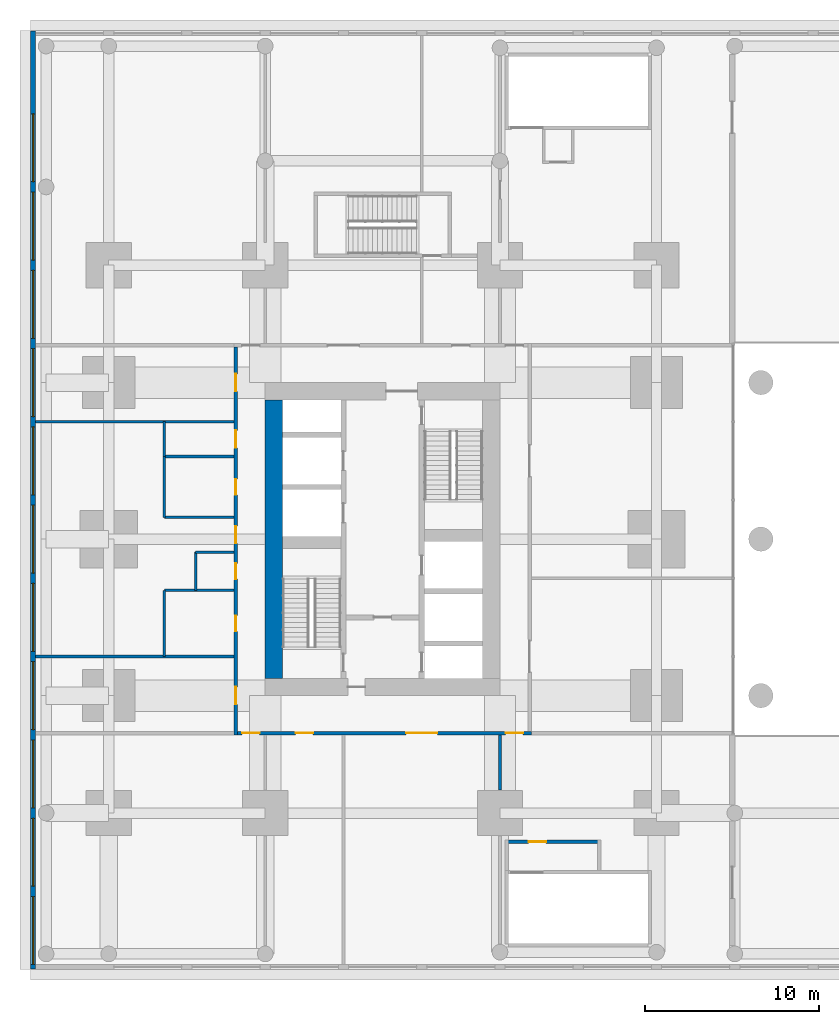
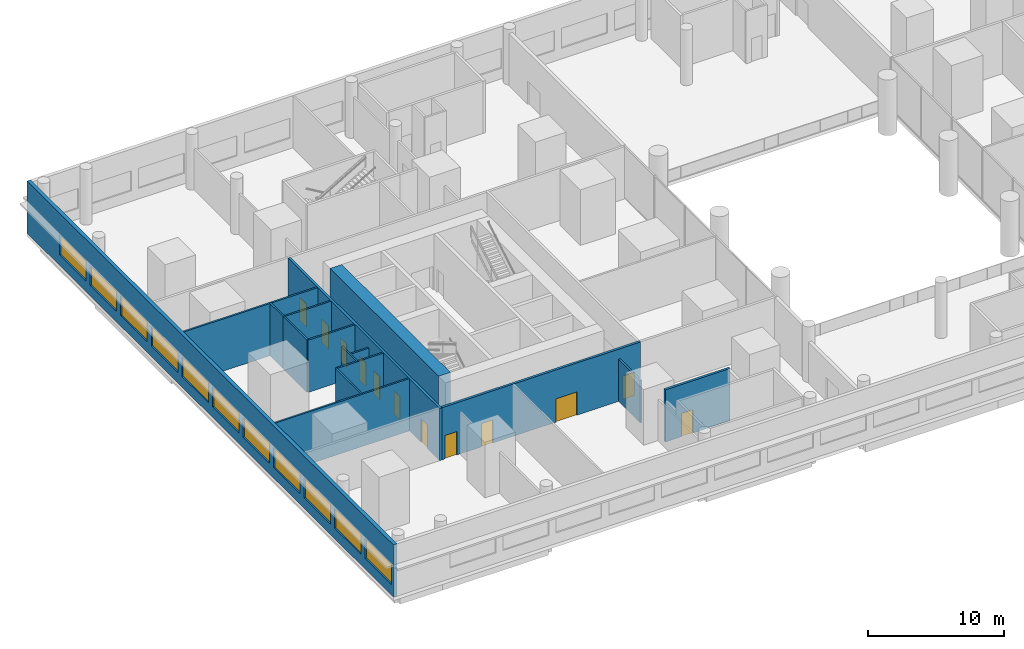
# One storey, part 9 of 20: 16 walls, 12 doors, 11 windows, 23 openings.
"""IFC4 building model written with IfcOpenShell, lengths in metres."""

from ifc_helpers import new_model, si_unit, direction, frame, frame_2d, origin, place, context, subcontext, project, spatial, rectangle, extrude, material, layer, layer_set, type_object, element, fill, save


model = new_model("IFC4")

# Units and contexts
model_context = context("Model", 3, precision=1e-05, world=origin(), true_north=direction((0.0, 1.0)))
body_context = subcontext(model_context, "Body", "Model", "MODEL_VIEW")
ifc_project = project(units=[si_unit("LENGTHUNIT", "METRE"), si_unit("AREAUNIT", "SQUARE_METRE"), si_unit("VOLUMEUNIT", "CUBIC_METRE"), si_unit("PLANEANGLEUNIT", "RADIAN"), si_unit("MASSUNIT", "GRAM", prefix="KILO")], contexts=[model_context])

# Site, building, storey
site_placement = place(None, origin())
site = spatial("IfcSite", under=ifc_project, at=site_placement, CompositionType="ELEMENT")
building_placement = place(site_placement, origin())
building = spatial("IfcBuilding", under=site, at=building_placement, Name="Namib Vertical Campus", CompositionType="ELEMENT")
storey_placement = place(building_placement, frame((0.0, 0.0, 16.0)))
storey = spatial("IfcBuildingStorey", under=building, at=storey_placement, Name="L03", CompositionType="ELEMENT", Elevation=16.0)

# Wall
ifc_material_1 = material(Name="Concrete C60/75", Category="concrete")
ifc_layer_1 = layer(ifc_material_1, 1.0)
ifc_layer_set_1 = layer_set([ifc_layer_1], Name="Concrete C60/75")
wall_type_1 = type_object("IfcWallType", Name="Core wall 1000", PredefinedType="SHEAR", material=ifc_layer_set_1)
wall_1_placement = place(storey_placement, frame((14.0, 28.25, 0.0), z_axis=(0.0, 0.0, 1.0), x_axis=(0.0, -1.0, 0.0)))
element("IfcWall", 1, at=wall_1_placement, inside=storey, type_object=wall_type_1, Name="Core wall A L03 4", PredefinedType="SHEAR", context=body_context, shape_type="SweptSolid", body=[
    extrude(rectangle(XDim=16.0, YDim=1.0, at=frame_2d((8.0, 0.0))), origin(), (0.0, 0.0, 1.0), 5.0),
])

# Wall, openings, doors
ifc_material_2 = material(Name="Concrete masonry", Category="masonry")
ifc_layer_2 = layer(ifc_material_2, 0.199951171875)
ifc_layer_set_2 = layer_set([ifc_layer_2], Name="Corridor wall 200")
wall_type_2 = type_object("IfcWallType", Name="Corridor wall 200", PredefinedType="SOLIDWALL", material=ifc_layer_set_2)
wall_2_placement = place(storey_placement, frame((11.89990234375, 9.10009765625, 0.0), z_axis=(0.0, 0.0, 1.0), x_axis=(1.0, 0.0, 0.0)))
wall_2 = element("IfcWall", 2, at=wall_2_placement, inside=storey, type_object=wall_type_2, Name="Corridor wall A L03 CS", PredefinedType="SOLIDWALL", context=body_context, shape_type="SweptSolid", body=[
    extrude(rectangle(XDim=16.900146484375, YDim=0.199951171875, at=frame_2d((8.4501953125, 0.0))), origin(), (0.0, 0.0, 1.0), 4.699951171875),
])
opening_1_placement = place(wall_2_placement, frame((0.27490234375, 0.0, 0.0)))
opening_1 = element("IfcOpeningElement", 3, at=opening_1_placement, cuts=wall_2, Name="Opening CD1", PredefinedType="OPENING", context=body_context, shape_type="SweptSolid", body=[
    extrude(rectangle(XDim=1.0, YDim=2.10009765625, at=frame_2d((0.5, 1.050048828125))), frame((0.0, 0.10986328125, 0.0), z_axis=(0.0, -1.0, 0.0), x_axis=(1.0, 0.0, 0.0)), (0.0, 0.0, 1.0), 0.219970703125),
])
opening_2_placement = place(wall_2_placement, frame((3.35009765625, 0.0, 0.0)))
opening_2 = element("IfcOpeningElement", 4, at=opening_2_placement, cuts=wall_2, Name="Opening CD1", PredefinedType="OPENING", context=body_context, shape_type="SweptSolid", body=[
    extrude(rectangle(XDim=1.0, YDim=2.10009765625, at=frame_2d((0.5, 1.050048828125))), frame((0.0, 0.10986328125, 0.0), z_axis=(0.0, -1.0, 0.0), x_axis=(1.0, 0.0, 0.0)), (0.0, 0.0, 1.0), 0.219970703125),
])
opening_3_placement = place(wall_2_placement, frame((9.699951171875, 0.0, 0.0)))
opening_3 = element("IfcOpeningElement", 5, at=opening_3_placement, cuts=wall_2, Name="Opening CD2", PredefinedType="OPENING", context=body_context, shape_type="SweptSolid", body=[
    extrude(rectangle(XDim=1.800048828125, YDim=2.10009765625, at=frame_2d((0.89990234375, 1.050048828125))), frame((0.0, 0.10986328125, 0.0), z_axis=(0.0, -1.0, 0.0), x_axis=(1.0, 0.0, 0.0)), (0.0, 0.0, 1.0), 0.219970703125),
])
opening_4_placement = place(wall_2_placement, frame((15.425048828125, 0.0, 0.0)))
opening_4 = element("IfcOpeningElement", 6, at=opening_4_placement, cuts=wall_2, Name="Opening CD1", PredefinedType="OPENING", context=body_context, shape_type="SweptSolid", body=[
    extrude(rectangle(XDim=1.0, YDim=2.10009765625, at=frame_2d((0.5, 1.050048828125))), frame((0.0, 0.10986328125, 0.0), z_axis=(0.0, -1.0, 0.0), x_axis=(1.0, 0.0, 0.0)), (0.0, 0.0, 1.0), 0.219970703125),
])
ifc_material_3 = material(Name="Timber fire door leaf", Category="wood")
door_type_1 = type_object("IfcDoorType", Name="Corridor door 1000x2100 20 min", OperationType="SINGLE_SWING_LEFT", PredefinedType="DOOR", material=ifc_material_3)
door_1_placement = place(opening_1_placement, frame((1.0, 0.0, 0.0), z_axis=(0.0, 0.0, 1.0), x_axis=(-1.0, 0.0, 0.0)))
door_1 = element("IfcDoor", 7, at=door_1_placement, inside=storey, type_object=door_type_1, Name="Door CD1 A03-01", OperationType="SINGLE_SWING_LEFT", OverallHeight=2.10009765625, OverallWidth=1.0, PredefinedType="DOOR", context=body_context, shape_type="SweptSolid", body=[
    extrude(rectangle(XDim=1.0, YDim=2.10009765625, at=frame_2d((0.5, 1.050048828125))), frame((0.0, 0.02490234375, 0.0), z_axis=(0.0, -1.0, 0.0), x_axis=(1.0, 0.0, 0.0)), (0.0, 0.0, 1.0), 0.050048828125),
])
fill(opening_1, door_1)
door_2_placement = place(opening_2_placement, frame((1.0, 0.0, 0.0), z_axis=(0.0, 0.0, 1.0), x_axis=(-1.0, 0.0, 0.0)))
door_2 = element("IfcDoor", 8, at=door_2_placement, inside=storey, type_object=door_type_1, Name="Door CD1 A03-02", OperationType="SINGLE_SWING_RIGHT", OverallHeight=2.10009765625, OverallWidth=1.0, PredefinedType="DOOR", context=body_context, shape_type="SweptSolid", body=[
    extrude(rectangle(XDim=1.0, YDim=2.10009765625, at=frame_2d((0.5, 1.050048828125))), frame((0.0, 0.02490234375, 0.0), z_axis=(0.0, -1.0, 0.0), x_axis=(1.0, 0.0, 0.0)), (0.0, 0.0, 1.0), 0.050048828125),
])
fill(opening_2, door_2)
door_3_placement = place(opening_4_placement, frame((1.0, 0.0, 0.0), z_axis=(0.0, 0.0, 1.0), x_axis=(-1.0, 0.0, 0.0)))
door_3 = element("IfcDoor", 9, at=door_3_placement, inside=storey, type_object=door_type_1, Name="Door CD1 A03-04", OperationType="SINGLE_SWING_RIGHT", OverallHeight=2.10009765625, OverallWidth=1.0, PredefinedType="DOOR", context=body_context, shape_type="SweptSolid", body=[
    extrude(rectangle(XDim=1.0, YDim=2.10009765625, at=frame_2d((0.5, 1.050048828125))), frame((0.0, 0.02490234375, 0.0), z_axis=(0.0, -1.0, 0.0), x_axis=(1.0, 0.0, 0.0)), (0.0, 0.0, 1.0), 0.050048828125),
])
fill(opening_4, door_3)
ifc_material_4 = material(Name="Timber fire door leaf", Category="wood")
door_type_2 = type_object("IfcDoorType", Name="Corridor door double 1800x2100 20 min", OperationType="DOUBLE_DOOR_SINGLE_SWING", PredefinedType="DOOR", material=ifc_material_4)
door_4_placement = place(opening_3_placement, frame((1.800048828125, 0.0, 0.0), z_axis=(0.0, 0.0, 1.0), x_axis=(-1.0, 0.0, 0.0)))
door_4 = element("IfcDoor", 10, at=door_4_placement, inside=storey, type_object=door_type_2, Name="Door CD2 A03-03", OperationType="DOUBLE_DOOR_SINGLE_SWING", OverallHeight=2.10009765625, OverallWidth=1.800048828125, PredefinedType="DOOR", context=body_context, shape_type="SweptSolid", body=[
    extrude(rectangle(XDim=1.800048828125, YDim=2.10009765625, at=frame_2d((0.89990234375, 1.050048828125))), frame((0.0, 0.02490234375, 0.0), z_axis=(0.0, -1.0, 0.0), x_axis=(1.0, 0.0, 0.0)), (0.0, 0.0, 1.0), 0.050048828125),
])
fill(opening_3, door_4)

wall_3_placement = place(storey_placement, frame((11.800048828125, 31.300048828125, 0.0), z_axis=(0.0, 0.0, 1.0), x_axis=(0.0, -1.0, 0.0)))
wall_3 = element("IfcWall", 11, at=wall_3_placement, inside=storey, type_object=wall_type_2, Name="Corridor wall A L03 CW", PredefinedType="SOLIDWALL", context=body_context, shape_type="SweptSolid", body=[
    extrude(rectangle(XDim=22.300048828125, YDim=0.199951171875, at=frame_2d((11.14990234375, 0.0))), origin(), (0.0, 0.0, 1.0), 4.699951171875),
])
opening_5_placement = place(wall_3_placement, frame((19.550048828125, 0.0, 0.0)))
opening_5 = element("IfcOpeningElement", 12, at=opening_5_placement, cuts=wall_3, Name="Opening CD1", PredefinedType="OPENING", context=body_context, shape_type="SweptSolid", body=[
    extrude(rectangle(XDim=1.0, YDim=2.10009765625, at=frame_2d((0.5, 1.050048828125))), frame((0.0, 0.10986328125, 0.0), z_axis=(0.0, -1.0, 0.0), x_axis=(1.0, 0.0, 0.0)), (0.0, 0.0, 1.0), 0.219970703125),
])
opening_6_placement = place(wall_3_placement, frame((15.449951171875, 0.0, 0.0)))
opening_6 = element("IfcOpeningElement", 13, at=opening_6_placement, cuts=wall_3, Name="Opening CD3", PredefinedType="OPENING", context=body_context, shape_type="SweptSolid", body=[
    extrude(rectangle(XDim=0.89990234375, YDim=2.10009765625, at=frame_2d((0.449951171875, 1.050048828125))), frame((0.0, 0.10986328125, 0.0), z_axis=(0.0, -1.0, 0.0), x_axis=(1.0, 0.0, 0.0)), (0.0, 0.0, 1.0), 0.219970703125),
])
opening_7_placement = place(wall_3_placement, frame((12.449951171875, 0.0, 0.0)))
opening_7 = element("IfcOpeningElement", 14, at=opening_7_placement, cuts=wall_3, Name="Opening CD3", PredefinedType="OPENING", context=body_context, shape_type="SweptSolid", body=[
    extrude(rectangle(XDim=0.89990234375, YDim=2.10009765625, at=frame_2d((0.449951171875, 1.050048828125))), frame((0.0, 0.10986328125, 0.0), z_axis=(0.0, -1.0, 0.0), x_axis=(1.0, 0.0, 0.0)), (0.0, 0.0, 1.0), 0.219970703125),
])
opening_8_placement = place(wall_3_placement, frame((7.60009765625, 0.0, 0.0)))
opening_8 = element("IfcOpeningElement", 15, at=opening_8_placement, cuts=wall_3, Name="Opening CD3", PredefinedType="OPENING", context=body_context, shape_type="SweptSolid", body=[
    extrude(rectangle(XDim=0.89990234375, YDim=2.10009765625, at=frame_2d((0.449951171875, 1.050048828125))), frame((0.0, 0.10986328125, 0.0), z_axis=(0.0, -1.0, 0.0), x_axis=(1.0, 0.0, 0.0)), (0.0, 0.0, 1.0), 0.219970703125),
])
opening_9_placement = place(wall_3_placement, frame((4.800048828125, 0.0, 0.0)))
opening_9 = element("IfcOpeningElement", 16, at=opening_9_placement, cuts=wall_3, Name="Opening CD1", PredefinedType="OPENING", context=body_context, shape_type="SweptSolid", body=[
    extrude(rectangle(XDim=1.0, YDim=2.10009765625, at=frame_2d((0.5, 1.050048828125))), frame((0.0, 0.10986328125, 0.0), z_axis=(0.0, -1.0, 0.0), x_axis=(1.0, 0.0, 0.0)), (0.0, 0.0, 1.0), 0.219970703125),
])
opening_10_placement = place(wall_3_placement, frame((10.300048828125, 0.0, 0.0)))
opening_10 = element("IfcOpeningElement", 17, at=opening_10_placement, cuts=wall_3, Name="Opening CD1", PredefinedType="OPENING", context=body_context, shape_type="SweptSolid", body=[
    extrude(rectangle(XDim=1.0, YDim=2.10009765625, at=frame_2d((0.5, 1.050048828125))), frame((0.0, 0.10986328125, 0.0), z_axis=(0.0, -1.0, 0.0), x_axis=(1.0, 0.0, 0.0)), (0.0, 0.0, 1.0), 0.219970703125),
])
opening_11_placement = place(wall_3_placement, frame((1.550048828125, 0.0, 0.0)))
opening_11 = element("IfcOpeningElement", 18, at=opening_11_placement, cuts=wall_3, Name="Opening CD1", PredefinedType="OPENING", context=body_context, shape_type="SweptSolid", body=[
    extrude(rectangle(XDim=1.0, YDim=2.10009765625, at=frame_2d((0.5, 1.050048828125))), frame((0.0, 0.10986328125, 0.0), z_axis=(0.0, -1.0, 0.0), x_axis=(1.0, 0.0, 0.0)), (0.0, 0.0, 1.0), 0.219970703125),
])
door_5_placement = place(opening_5_placement, frame((1.0, 0.0, 0.0), z_axis=(0.0, 0.0, 1.0), x_axis=(-1.0, 0.0, 0.0)))
door_5 = element("IfcDoor", 19, at=door_5_placement, inside=storey, type_object=door_type_1, Name="Door CD1 A03-10", OperationType="SINGLE_SWING_RIGHT", OverallHeight=2.10009765625, OverallWidth=1.0, PredefinedType="DOOR", context=body_context, shape_type="SweptSolid", body=[
    extrude(rectangle(XDim=1.0, YDim=2.10009765625, at=frame_2d((0.5, 1.050048828125))), frame((0.0, 0.02490234375, 0.0), z_axis=(0.0, -1.0, 0.0), x_axis=(1.0, 0.0, 0.0)), (0.0, 0.0, 1.0), 0.050048828125),
])
fill(opening_5, door_5)
door_6_placement = place(opening_9_placement, frame((1.0, 0.0, 0.0), z_axis=(0.0, 0.0, 1.0), x_axis=(-1.0, 0.0, 0.0)))
door_6 = element("IfcDoor", 20, at=door_6_placement, inside=storey, type_object=door_type_1, Name="Door CD1 A03-14", OperationType="SINGLE_SWING_RIGHT", OverallHeight=2.10009765625, OverallWidth=1.0, PredefinedType="DOOR", context=body_context, shape_type="SweptSolid", body=[
    extrude(rectangle(XDim=1.0, YDim=2.10009765625, at=frame_2d((0.5, 1.050048828125))), frame((0.0, 0.02490234375, 0.0), z_axis=(0.0, -1.0, 0.0), x_axis=(1.0, 0.0, 0.0)), (0.0, 0.0, 1.0), 0.050048828125),
])
fill(opening_9, door_6)
door_7_placement = place(opening_10_placement, frame((1.0, 0.0, 0.0), z_axis=(0.0, 0.0, 1.0), x_axis=(-1.0, 0.0, 0.0)))
door_7 = element("IfcDoor", 21, at=door_7_placement, inside=storey, type_object=door_type_1, Name="Door CD1 A03-15", OperationType="SINGLE_SWING_RIGHT", OverallHeight=2.10009765625, OverallWidth=1.0, PredefinedType="DOOR", context=body_context, shape_type="SweptSolid", body=[
    extrude(rectangle(XDim=1.0, YDim=2.10009765625, at=frame_2d((0.5, 1.050048828125))), frame((0.0, 0.02490234375, 0.0), z_axis=(0.0, -1.0, 0.0), x_axis=(1.0, 0.0, 0.0)), (0.0, 0.0, 1.0), 0.050048828125),
])
fill(opening_10, door_7)
door_8_placement = place(opening_11_placement, frame((1.0, 0.0, 0.0), z_axis=(0.0, 0.0, 1.0), x_axis=(-1.0, 0.0, 0.0)))
door_8 = element("IfcDoor", 22, at=door_8_placement, inside=storey, type_object=door_type_1, Name="Door CD1 A03-16", OperationType="SINGLE_SWING_RIGHT", OverallHeight=2.10009765625, OverallWidth=1.0, PredefinedType="DOOR", context=body_context, shape_type="SweptSolid", body=[
    extrude(rectangle(XDim=1.0, YDim=2.10009765625, at=frame_2d((0.5, 1.050048828125))), frame((0.0, 0.02490234375, 0.0), z_axis=(0.0, -1.0, 0.0), x_axis=(1.0, 0.0, 0.0)), (0.0, 0.0, 1.0), 0.050048828125),
])
fill(opening_11, door_8)
ifc_material_5 = material(Name="Timber fire door leaf", Category="wood")
door_type_3 = type_object("IfcDoorType", Name="Corridor toilet door 900x2100 20 min", OperationType="SINGLE_SWING_LEFT", PredefinedType="DOOR", material=ifc_material_5)
door_9_placement = place(opening_6_placement, frame((0.89990234375, 0.0, 0.0), z_axis=(0.0, 0.0, 1.0), x_axis=(-1.0, 0.0, 0.0)))
door_9 = element("IfcDoor", 23, at=door_9_placement, inside=storey, type_object=door_type_3, Name="Door CD3 A03-11", OperationType="SINGLE_SWING_RIGHT", OverallHeight=2.10009765625, OverallWidth=0.89990234375, PredefinedType="DOOR", context=body_context, shape_type="SweptSolid", body=[
    extrude(rectangle(XDim=0.89990234375, YDim=2.10009765625, at=frame_2d((0.449951171875, 1.050048828125))), frame((0.0, 0.02490234375, 0.0), z_axis=(0.0, -1.0, 0.0), x_axis=(1.0, 0.0, 0.0)), (0.0, 0.0, 1.0), 0.050048828125),
])
fill(opening_6, door_9)
door_10_placement = place(opening_7_placement, frame((0.89990234375, 0.0, 0.0), z_axis=(0.0, 0.0, 1.0), x_axis=(-1.0, 0.0, 0.0)))
door_10 = element("IfcDoor", 24, at=door_10_placement, inside=storey, type_object=door_type_3, Name="Door CD3 A03-12", OperationType="SINGLE_SWING_RIGHT", OverallHeight=2.10009765625, OverallWidth=0.89990234375, PredefinedType="DOOR", context=body_context, shape_type="SweptSolid", body=[
    extrude(rectangle(XDim=0.89990234375, YDim=2.10009765625, at=frame_2d((0.449951171875, 1.050048828125))), frame((0.0, 0.02490234375, 0.0), z_axis=(0.0, -1.0, 0.0), x_axis=(1.0, 0.0, 0.0)), (0.0, 0.0, 1.0), 0.050048828125),
])
fill(opening_7, door_10)
door_11_placement = place(opening_8_placement, frame((0.89990234375, 0.0, 0.0), z_axis=(0.0, 0.0, 1.0), x_axis=(-1.0, 0.0, 0.0)))
door_11 = element("IfcDoor", 25, at=door_11_placement, inside=storey, type_object=door_type_3, Name="Door CD3 A03-13", OperationType="SINGLE_SWING_RIGHT", OverallHeight=2.10009765625, OverallWidth=0.89990234375, PredefinedType="DOOR", context=body_context, shape_type="SweptSolid", body=[
    extrude(rectangle(XDim=0.89990234375, YDim=2.10009765625, at=frame_2d((0.449951171875, 1.050048828125))), frame((0.0, 0.02490234375, 0.0), z_axis=(0.0, -1.0, 0.0), x_axis=(1.0, 0.0, 0.0)), (0.0, 0.0, 1.0), 0.050048828125),
])
fill(opening_8, door_11)

# Wall, opening, door
wall_4_placement = place(storey_placement, frame((27.300048828125, 2.85009765625, 0.0), z_axis=(0.0, 0.0, 1.0), x_axis=(1.0, 0.0, 0.0)))
wall_4 = element("IfcWall", 26, at=wall_4_placement, inside=storey, type_object=wall_type_2, Name="Stair lobby wall P-S2 L03", PredefinedType="SOLIDWALL", context=body_context, shape_type="SweptSolid", body=[
    extrude(rectangle(XDim=5.5, YDim=0.199951171875, at=frame_2d((2.75, 0.0))), origin(), (0.0, 0.0, 1.0), 4.699951171875),
])
opening_12_placement = place(wall_4_placement, frame((1.35009765625, 0.0, 0.0)))
opening_12 = element("IfcOpeningElement", 27, at=opening_12_placement, cuts=wall_4, Name="Opening FD1", PredefinedType="OPENING", context=body_context, shape_type="SweptSolid", body=[
    extrude(rectangle(XDim=1.0, YDim=2.10009765625, at=frame_2d((0.5, 1.050048828125))), frame((0.0, 0.10986328125, 0.0), z_axis=(0.0, -1.0, 0.0), x_axis=(1.0, 0.0, 0.0)), (0.0, 0.0, 1.0), 0.219970703125),
])
ifc_material_6 = material(Name="Steel fire door", Category="steel")
door_type_4 = type_object("IfcDoorType", Name="Fire door 1000x2100", OperationType="SINGLE_SWING_RIGHT", PredefinedType="DOOR", material=ifc_material_6)
door_12_placement = place(opening_12_placement, origin())
door_12 = element("IfcDoor", 28, at=door_12_placement, inside=storey, type_object=door_type_4, Name="Door FD1 Protected stair lobby P-S2 L03", OperationType="SINGLE_SWING_LEFT", OverallHeight=2.10009765625, OverallWidth=1.0, PredefinedType="DOOR", context=body_context, shape_type="SweptSolid", body=[
    extrude(rectangle(XDim=1.0, YDim=2.10009765625, at=frame_2d((0.5, 1.050048828125))), frame((0.0, 0.02490234375, 0.0), z_axis=(0.0, -1.0, 0.0), x_axis=(1.0, 0.0, 0.0)), (0.0, 0.0, 1.0), 0.050048828125),
])
fill(opening_12, door_12)

# Wall, openings, windows
ifc_material_7 = material(Name="Concrete C40/50", Category="concrete")
ifc_layer_3 = layer(ifc_material_7, 0.300048828125)
ifc_layer_set_3 = layer_set([ifc_layer_3], Name="Concrete C40/50")
wall_type_3 = type_object("IfcWallType", Name="External wall 300 board-marked concrete", PredefinedType="STANDARD", material=ifc_layer_set_3)
wall_5_placement = place(storey_placement, frame((0.14990234375, 49.47998046875, 0.0), z_axis=(0.0, 0.0, 1.0), x_axis=(0.0, -1.0, 0.0)))
wall_5 = element("IfcWall", 29, at=wall_5_placement, inside=storey, type_object=wall_type_3, Name="External wall L03 F4", PredefinedType="STANDARD", context=body_context, shape_type="SweptSolid", body=[
    extrude(rectangle(XDim=53.9599609375, YDim=0.300048828125, at=frame_2d((26.97998046875, 0.0))), origin(), (0.0, 0.0, 1.0), 4.699951171875),
])
opening_13_placement = place(wall_5_placement, frame((49.780029296875, 0.0, 0.949951171875)))
opening_13 = element("IfcOpeningElement", 30, at=opening_13_placement, cuts=wall_5, Name="Opening W3", PredefinedType="OPENING", context=body_context, shape_type="SweptSolid", body=[
    extrude(rectangle(XDim=3.89990234375, YDim=1.800048828125, at=frame_2d((1.949951171875, 0.89990234375))), frame((0.0, 0.159912109375, 0.0), z_axis=(0.0, -1.0, 0.0), x_axis=(1.0, 0.0, 0.0)), (0.0, 0.0, 1.0), 0.320068359375),
])
opening_14_placement = place(wall_5_placement, frame((45.280029296875, 0.0, 0.949951171875)))
opening_14 = element("IfcOpeningElement", 31, at=opening_14_placement, cuts=wall_5, Name="Opening W3", PredefinedType="OPENING", context=body_context, shape_type="SweptSolid", body=[
    extrude(rectangle(XDim=3.89990234375, YDim=1.800048828125, at=frame_2d((1.949951171875, 0.89990234375))), frame((0.0, 0.159912109375, 0.0), z_axis=(0.0, -1.0, 0.0), x_axis=(1.0, 0.0, 0.0)), (0.0, 0.0, 1.0), 0.320068359375),
])
opening_15_placement = place(wall_5_placement, frame((40.780029296875, 0.0, 0.949951171875)))
opening_15 = element("IfcOpeningElement", 32, at=opening_15_placement, cuts=wall_5, Name="Opening W3", PredefinedType="OPENING", context=body_context, shape_type="SweptSolid", body=[
    extrude(rectangle(XDim=3.89990234375, YDim=1.800048828125, at=frame_2d((1.949951171875, 0.89990234375))), frame((0.0, 0.159912109375, 0.0), z_axis=(0.0, -1.0, 0.0), x_axis=(1.0, 0.0, 0.0)), (0.0, 0.0, 1.0), 0.320068359375),
])
opening_16_placement = place(wall_5_placement, frame((36.280029296875, 0.0, 0.949951171875)))
opening_16 = element("IfcOpeningElement", 33, at=opening_16_placement, cuts=wall_5, Name="Opening W3", PredefinedType="OPENING", context=body_context, shape_type="SweptSolid", body=[
    extrude(rectangle(XDim=3.89990234375, YDim=1.800048828125, at=frame_2d((1.949951171875, 0.89990234375))), frame((0.0, 0.159912109375, 0.0), z_axis=(0.0, -1.0, 0.0), x_axis=(1.0, 0.0, 0.0)), (0.0, 0.0, 1.0), 0.320068359375),
])
opening_17_placement = place(wall_5_placement, frame((31.780029296875, 0.0, 0.949951171875)))
opening_17 = element("IfcOpeningElement", 34, at=opening_17_placement, cuts=wall_5, Name="Opening W3", PredefinedType="OPENING", context=body_context, shape_type="SweptSolid", body=[
    extrude(rectangle(XDim=3.89990234375, YDim=1.800048828125, at=frame_2d((1.949951171875, 0.89990234375))), frame((0.0, 0.159912109375, 0.0), z_axis=(0.0, -1.0, 0.0), x_axis=(1.0, 0.0, 0.0)), (0.0, 0.0, 1.0), 0.320068359375),
])
opening_18_placement = place(wall_5_placement, frame((27.280029296875, 0.0, 0.949951171875)))
opening_18 = element("IfcOpeningElement", 35, at=opening_18_placement, cuts=wall_5, Name="Opening W3", PredefinedType="OPENING", context=body_context, shape_type="SweptSolid", body=[
    extrude(rectangle(XDim=3.89990234375, YDim=1.800048828125, at=frame_2d((1.949951171875, 0.89990234375))), frame((0.0, 0.159912109375, 0.0), z_axis=(0.0, -1.0, 0.0), x_axis=(1.0, 0.0, 0.0)), (0.0, 0.0, 1.0), 0.320068359375),
])
opening_19_placement = place(wall_5_placement, frame((22.780029296875, 0.0, 0.949951171875)))
opening_19 = element("IfcOpeningElement", 36, at=opening_19_placement, cuts=wall_5, Name="Opening W3", PredefinedType="OPENING", context=body_context, shape_type="SweptSolid", body=[
    extrude(rectangle(XDim=3.89990234375, YDim=1.800048828125, at=frame_2d((1.949951171875, 0.89990234375))), frame((0.0, 0.159912109375, 0.0), z_axis=(0.0, -1.0, 0.0), x_axis=(1.0, 0.0, 0.0)), (0.0, 0.0, 1.0), 0.320068359375),
])
opening_20_placement = place(wall_5_placement, frame((18.280029296875, 0.0, 0.949951171875)))
opening_20 = element("IfcOpeningElement", 37, at=opening_20_placement, cuts=wall_5, Name="Opening W3", PredefinedType="OPENING", context=body_context, shape_type="SweptSolid", body=[
    extrude(rectangle(XDim=3.89990234375, YDim=1.800048828125, at=frame_2d((1.949951171875, 0.89990234375))), frame((0.0, 0.159912109375, 0.0), z_axis=(0.0, -1.0, 0.0), x_axis=(1.0, 0.0, 0.0)), (0.0, 0.0, 1.0), 0.320068359375),
])
opening_21_placement = place(wall_5_placement, frame((13.780029296875, 0.0, 0.949951171875)))
opening_21 = element("IfcOpeningElement", 38, at=opening_21_placement, cuts=wall_5, Name="Opening W3", PredefinedType="OPENING", context=body_context, shape_type="SweptSolid", body=[
    extrude(rectangle(XDim=3.89990234375, YDim=1.800048828125, at=frame_2d((1.949951171875, 0.89990234375))), frame((0.0, 0.159912109375, 0.0), z_axis=(0.0, -1.0, 0.0), x_axis=(1.0, 0.0, 0.0)), (0.0, 0.0, 1.0), 0.320068359375),
])
opening_22_placement = place(wall_5_placement, frame((9.280029296875, 0.0, 0.949951171875)))
opening_22 = element("IfcOpeningElement", 39, at=opening_22_placement, cuts=wall_5, Name="Opening W3", PredefinedType="OPENING", context=body_context, shape_type="SweptSolid", body=[
    extrude(rectangle(XDim=3.89990234375, YDim=1.800048828125, at=frame_2d((1.949951171875, 0.89990234375))), frame((0.0, 0.159912109375, 0.0), z_axis=(0.0, -1.0, 0.0), x_axis=(1.0, 0.0, 0.0)), (0.0, 0.0, 1.0), 0.320068359375),
])
opening_23_placement = place(wall_5_placement, frame((4.780029296875, 0.0, 0.949951171875)))
opening_23 = element("IfcOpeningElement", 40, at=opening_23_placement, cuts=wall_5, Name="Opening W3", PredefinedType="OPENING", context=body_context, shape_type="SweptSolid", body=[
    extrude(rectangle(XDim=3.89990234375, YDim=1.800048828125, at=frame_2d((1.949951171875, 0.89990234375))), frame((0.0, 0.159912109375, 0.0), z_axis=(0.0, -1.0, 0.0), x_axis=(1.0, 0.0, 0.0)), (0.0, 0.0, 1.0), 0.320068359375),
])
ifc_material_8 = material(Name="Dark tinted glass in black aluminium frame", Category="aluminium")
window_type = type_object("IfcWindowType", Name="Ribbon window 3900x1800", PartitioningType="SINGLE_PANEL", PredefinedType="WINDOW", material=ifc_material_8)
window_1_placement = place(opening_13_placement, origin())
window_1 = element("IfcWindow", 41, at=window_1_placement, inside=storey, type_object=window_type, Name="Window W3 L03 F4-1", OverallHeight=1.800048828125, OverallWidth=3.89990234375, PartitioningType="SINGLE_PANEL", PredefinedType="WINDOW", context=body_context, shape_type="SweptSolid", body=[
    extrude(rectangle(XDim=3.89990234375, YDim=1.800048828125, at=frame_2d((1.949951171875, 0.89990234375))), frame((0.0, 0.030029296875, 0.0), z_axis=(0.0, -1.0, 0.0), x_axis=(1.0, 0.0, 0.0)), (0.0, 0.0, 1.0), 0.06005859375),
])
fill(opening_13, window_1)
window_2_placement = place(opening_14_placement, origin())
window_2 = element("IfcWindow", 42, at=window_2_placement, inside=storey, type_object=window_type, Name="Window W3 L03 F4-2", OverallHeight=1.800048828125, OverallWidth=3.89990234375, PartitioningType="SINGLE_PANEL", PredefinedType="WINDOW", context=body_context, shape_type="SweptSolid", body=[
    extrude(rectangle(XDim=3.89990234375, YDim=1.800048828125, at=frame_2d((1.949951171875, 0.89990234375))), frame((0.0, 0.030029296875, 0.0), z_axis=(0.0, -1.0, 0.0), x_axis=(1.0, 0.0, 0.0)), (0.0, 0.0, 1.0), 0.06005859375),
])
fill(opening_14, window_2)
window_3_placement = place(opening_15_placement, origin())
window_3 = element("IfcWindow", 43, at=window_3_placement, inside=storey, type_object=window_type, Name="Window W3 L03 F4-3", OverallHeight=1.800048828125, OverallWidth=3.89990234375, PartitioningType="SINGLE_PANEL", PredefinedType="WINDOW", context=body_context, shape_type="SweptSolid", body=[
    extrude(rectangle(XDim=3.89990234375, YDim=1.800048828125, at=frame_2d((1.949951171875, 0.89990234375))), frame((0.0, 0.030029296875, 0.0), z_axis=(0.0, -1.0, 0.0), x_axis=(1.0, 0.0, 0.0)), (0.0, 0.0, 1.0), 0.06005859375),
])
fill(opening_15, window_3)
window_4_placement = place(opening_16_placement, origin())
window_4 = element("IfcWindow", 44, at=window_4_placement, inside=storey, type_object=window_type, Name="Window W3 L03 F4-4", OverallHeight=1.800048828125, OverallWidth=3.89990234375, PartitioningType="SINGLE_PANEL", PredefinedType="WINDOW", context=body_context, shape_type="SweptSolid", body=[
    extrude(rectangle(XDim=3.89990234375, YDim=1.800048828125, at=frame_2d((1.949951171875, 0.89990234375))), frame((0.0, 0.030029296875, 0.0), z_axis=(0.0, -1.0, 0.0), x_axis=(1.0, 0.0, 0.0)), (0.0, 0.0, 1.0), 0.06005859375),
])
fill(opening_16, window_4)
window_5_placement = place(opening_17_placement, origin())
window_5 = element("IfcWindow", 45, at=window_5_placement, inside=storey, type_object=window_type, Name="Window W3 L03 F4-5", OverallHeight=1.800048828125, OverallWidth=3.89990234375, PartitioningType="SINGLE_PANEL", PredefinedType="WINDOW", context=body_context, shape_type="SweptSolid", body=[
    extrude(rectangle(XDim=3.89990234375, YDim=1.800048828125, at=frame_2d((1.949951171875, 0.89990234375))), frame((0.0, 0.030029296875, 0.0), z_axis=(0.0, -1.0, 0.0), x_axis=(1.0, 0.0, 0.0)), (0.0, 0.0, 1.0), 0.06005859375),
])
fill(opening_17, window_5)
window_6_placement = place(opening_18_placement, origin())
window_6 = element("IfcWindow", 46, at=window_6_placement, inside=storey, type_object=window_type, Name="Window W3 L03 F4-6", OverallHeight=1.800048828125, OverallWidth=3.89990234375, PartitioningType="SINGLE_PANEL", PredefinedType="WINDOW", context=body_context, shape_type="SweptSolid", body=[
    extrude(rectangle(XDim=3.89990234375, YDim=1.800048828125, at=frame_2d((1.949951171875, 0.89990234375))), frame((0.0, 0.030029296875, 0.0), z_axis=(0.0, -1.0, 0.0), x_axis=(1.0, 0.0, 0.0)), (0.0, 0.0, 1.0), 0.06005859375),
])
fill(opening_18, window_6)
window_7_placement = place(opening_19_placement, origin())
window_7 = element("IfcWindow", 47, at=window_7_placement, inside=storey, type_object=window_type, Name="Window W3 L03 F4-7", OverallHeight=1.800048828125, OverallWidth=3.89990234375, PartitioningType="SINGLE_PANEL", PredefinedType="WINDOW", context=body_context, shape_type="SweptSolid", body=[
    extrude(rectangle(XDim=3.89990234375, YDim=1.800048828125, at=frame_2d((1.949951171875, 0.89990234375))), frame((0.0, 0.030029296875, 0.0), z_axis=(0.0, -1.0, 0.0), x_axis=(1.0, 0.0, 0.0)), (0.0, 0.0, 1.0), 0.06005859375),
])
fill(opening_19, window_7)
window_8_placement = place(opening_20_placement, origin())
window_8 = element("IfcWindow", 48, at=window_8_placement, inside=storey, type_object=window_type, Name="Window W3 L03 F4-8", OverallHeight=1.800048828125, OverallWidth=3.89990234375, PartitioningType="SINGLE_PANEL", PredefinedType="WINDOW", context=body_context, shape_type="SweptSolid", body=[
    extrude(rectangle(XDim=3.89990234375, YDim=1.800048828125, at=frame_2d((1.949951171875, 0.89990234375))), frame((0.0, 0.030029296875, 0.0), z_axis=(0.0, -1.0, 0.0), x_axis=(1.0, 0.0, 0.0)), (0.0, 0.0, 1.0), 0.06005859375),
])
fill(opening_20, window_8)
window_9_placement = place(opening_21_placement, origin())
window_9 = element("IfcWindow", 49, at=window_9_placement, inside=storey, type_object=window_type, Name="Window W3 L03 F4-9", OverallHeight=1.800048828125, OverallWidth=3.89990234375, PartitioningType="SINGLE_PANEL", PredefinedType="WINDOW", context=body_context, shape_type="SweptSolid", body=[
    extrude(rectangle(XDim=3.89990234375, YDim=1.800048828125, at=frame_2d((1.949951171875, 0.89990234375))), frame((0.0, 0.030029296875, 0.0), z_axis=(0.0, -1.0, 0.0), x_axis=(1.0, 0.0, 0.0)), (0.0, 0.0, 1.0), 0.06005859375),
])
fill(opening_21, window_9)
window_10_placement = place(opening_22_placement, origin())
window_10 = element("IfcWindow", 50, at=window_10_placement, inside=storey, type_object=window_type, Name="Window W3 L03 F4-10", OverallHeight=1.800048828125, OverallWidth=3.89990234375, PartitioningType="SINGLE_PANEL", PredefinedType="WINDOW", context=body_context, shape_type="SweptSolid", body=[
    extrude(rectangle(XDim=3.89990234375, YDim=1.800048828125, at=frame_2d((1.949951171875, 0.89990234375))), frame((0.0, 0.030029296875, 0.0), z_axis=(0.0, -1.0, 0.0), x_axis=(1.0, 0.0, 0.0)), (0.0, 0.0, 1.0), 0.06005859375),
])
fill(opening_22, window_10)
window_11_placement = place(opening_23_placement, origin())
window_11 = element("IfcWindow", 51, at=window_11_placement, inside=storey, type_object=window_type, Name="Window W3 L03 F4-11", OverallHeight=1.800048828125, OverallWidth=3.89990234375, PartitioningType="SINGLE_PANEL", PredefinedType="WINDOW", context=body_context, shape_type="SweptSolid", body=[
    extrude(rectangle(XDim=3.89990234375, YDim=1.800048828125, at=frame_2d((1.949951171875, 0.89990234375))), frame((0.0, 0.030029296875, 0.0), z_axis=(0.0, -1.0, 0.0), x_axis=(1.0, 0.0, 0.0)), (0.0, 0.0, 1.0), 0.06005859375),
])
fill(opening_23, window_11)

# Walls
ifc_material_9 = material(Name="Gypsum board on steel studs", Category="steel")
ifc_layer_4 = layer(ifc_material_9, 0.14990234375)
ifc_layer_set_4 = layer_set([ifc_layer_4], Name="Gypsum board on steel studs")
wall_type_4 = type_object("IfcWallType", Name="Partition 150", PredefinedType="PARTITIONING", material=ifc_layer_set_4)
wall_6_placement = place(storey_placement, frame((27.0, 5.820068359375, 0.0), z_axis=(0.0, 0.0, 1.0), x_axis=(0.0, 1.0, 0.0)))
element("IfcWall", 52, at=wall_6_placement, inside=storey, type_object=wall_type_4, Name="Partition A L03 PS3", PredefinedType="PARTITIONING", context=body_context, shape_type="SweptSolid", body=[
    extrude(rectangle(XDim=3.179931640625, YDim=0.14990234375, at=frame_2d((1.58984375, 0.0))), origin(), (0.0, 0.0, 1.0), 3.800048828125),
])
for number, where, z_axis, x_axis, name in (
    (53, (0.300048828125, 13.5, 0.0), (0.0, 0.0, 1.0), (1.0, 0.0, 0.0), "Partition A L03 PW1"),
    (54, (0.300048828125, 27.0, 0.0), (0.0, 0.0, 1.0), (1.0, 0.0, 0.0), "Partition A L03 PW2"),
):
    element("IfcWall", number, at=place(storey_placement, frame(where, z_axis=z_axis, x_axis=x_axis)), inside=storey, type_object=wall_type_4, Name=name, PredefinedType="PARTITIONING", context=body_context, shape_type="SweptSolid", body=[
        extrude(rectangle(XDim=11.39990234375, YDim=0.14990234375, at=frame_2d((5.699951171875, 0.0))), origin(), (0.0, 0.0, 1.0), 4.699951171875),
    ])
wall_7_placement = place(storey_placement, frame((11.699951171875, 17.300048828125, 0.0), z_axis=(0.0, 0.0, 1.0), x_axis=(-1.0, 0.0, 0.0)))
element("IfcWall", 55, at=wall_7_placement, inside=storey, type_object=wall_type_4, Name="Partition A L03 WR1", PredefinedType="PARTITIONING", context=body_context, shape_type="SweptSolid", body=[
    extrude(rectangle(XDim=4.0, YDim=0.14990234375, at=frame_2d((2.0, 0.0))), origin(), (0.0, 0.0, 1.0), 4.699951171875),
])
wall_8_placement = place(storey_placement, frame((11.699951171875, 19.5, 0.0), z_axis=(0.0, 0.0, 1.0), x_axis=(-1.0, 0.0, 0.0)))
element("IfcWall", 56, at=wall_8_placement, inside=storey, type_object=wall_type_4, Name="Partition A L03 WR2", PredefinedType="PARTITIONING", context=body_context, shape_type="SweptSolid", body=[
    extrude(rectangle(XDim=2.199951171875, YDim=0.14990234375, at=frame_2d((1.10009765625, 0.0))), origin(), (0.0, 0.0, 1.0), 3.800048828125),
])
for number, where, z_axis, x_axis, name in (
    (57, (11.699951171875, 21.5, 0.0), (0.0, 0.0, 1.0), (-1.0, 0.0, 0.0), "Partition A L03 WR3"),
    (58, (11.699951171875, 25.0, 0.0), (0.0, 0.0, 1.0), (-1.0, 0.0, 0.0), "Partition A L03 WR4"),
):
    element("IfcWall", number, at=place(storey_placement, frame(where, z_axis=z_axis, x_axis=x_axis)), inside=storey, type_object=wall_type_4, Name=name, PredefinedType="PARTITIONING", context=body_context, shape_type="SweptSolid", body=[
        extrude(rectangle(XDim=4.0, YDim=0.14990234375, at=frame_2d((2.0, 0.0))), origin(), (0.0, 0.0, 1.0), 4.699951171875),
    ])
wall_9_placement = place(storey_placement, frame((7.699951171875, 13.5, 0.0), z_axis=(0.0, 0.0, 1.0), x_axis=(0.0, 1.0, 0.0)))
element("IfcWall", 59, at=wall_9_placement, inside=storey, type_object=wall_type_4, Name="Partition A L03 WB1", PredefinedType="PARTITIONING", context=body_context, shape_type="SweptSolid", body=[
    extrude(rectangle(XDim=3.800048828125, YDim=0.14990234375, at=frame_2d((1.89990234375, 0.0))), origin(), (0.0, 0.0, 1.0), 4.699951171875),
])
wall_10_placement = place(storey_placement, frame((9.5, 17.300048828125, 0.0), z_axis=(0.0, 0.0, 1.0), x_axis=(0.0, 1.0, 0.0)))
element("IfcWall", 60, at=wall_10_placement, inside=storey, type_object=wall_type_4, Name="Partition A L03 WB2", PredefinedType="PARTITIONING", context=body_context, shape_type="SweptSolid", body=[
    extrude(rectangle(XDim=2.199951171875, YDim=0.14990234375, at=frame_2d((1.10009765625, 0.0))), origin(), (0.0, 0.0, 1.0), 4.699951171875),
])
wall_11_placement = place(storey_placement, frame((7.699951171875, 21.5, 0.0), z_axis=(0.0, 0.0, 1.0), x_axis=(0.0, 1.0, 0.0)))
element("IfcWall", 61, at=wall_11_placement, inside=storey, type_object=wall_type_4, Name="Partition A L03 WB3", PredefinedType="PARTITIONING", context=body_context, shape_type="SweptSolid", body=[
    extrude(rectangle(XDim=3.5, YDim=0.14990234375, at=frame_2d((1.75, 0.0))), origin(), (0.0, 0.0, 1.0), 4.699951171875),
])
wall_12_placement = place(storey_placement, frame((7.699951171875, 25.0, 0.0), z_axis=(0.0, 0.0, 1.0), x_axis=(0.0, 1.0, 0.0)))
element("IfcWall", 62, at=wall_12_placement, inside=storey, type_object=wall_type_4, Name="Partition A L03 WB4", PredefinedType="PARTITIONING", context=body_context, shape_type="SweptSolid", body=[
    extrude(rectangle(XDim=2.0, YDim=0.14990234375, at=frame_2d((1.0, 0.0))), origin(), (0.0, 0.0, 1.0), 4.699951171875),
])

save(model, "model.ifc")
